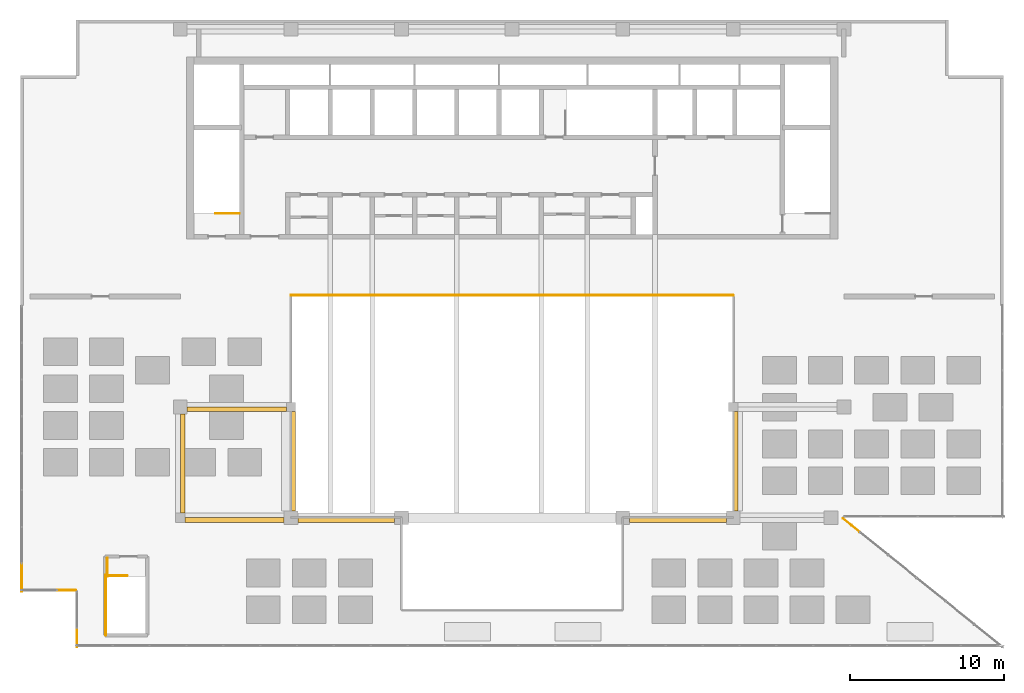
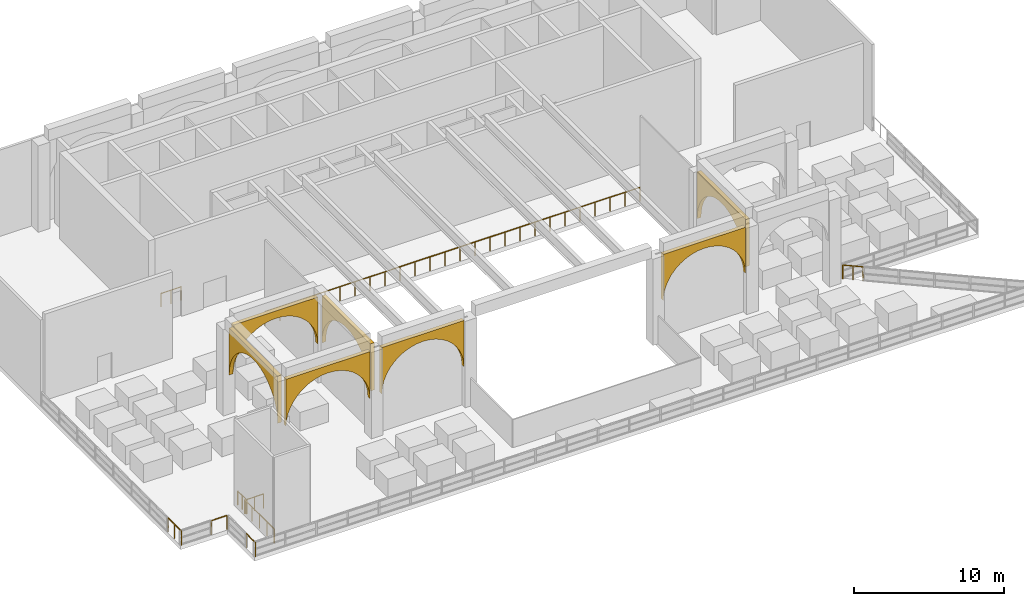
# One storey, part 15 of 17: 9 railings, 7 coverings.
"""IFC4 building model written with IfcOpenShell, lengths in metres."""

from ifc_helpers import new_model, si_unit, direction, frame, origin, origin_2d, place, context, subcontext, project, spatial, polyline, circle, outline, extrude, material, layer, layer_set, type_object, element, save


model = new_model("IFC4")

# Units and contexts
model_context = context("Model", 3, precision=1e-05, world=origin(), true_north=direction((0.0, 1.0)))
body_context = subcontext(model_context, "Body", "Model", "MODEL_VIEW")
ifc_project = project(units=[si_unit("LENGTHUNIT", "METRE"), si_unit("AREAUNIT", "SQUARE_METRE"), si_unit("VOLUMEUNIT", "CUBIC_METRE"), si_unit("PLANEANGLEUNIT", "RADIAN"), si_unit("MASSUNIT", "GRAM", prefix="KILO")], contexts=[model_context])

# Site, building, storey
site_placement = place(None, origin())
site = spatial("IfcSite", under=ifc_project, at=site_placement, CompositionType="ELEMENT")
building_placement = place(site_placement, origin())
building = spatial("IfcBuilding", under=site, at=building_placement, Name="Saffron Iwan Residences", CompositionType="ELEMENT")
storey_placement = place(building_placement, frame((0.0, 0.0, 274.5)))
storey = spatial("IfcBuildingStorey", under=building, at=storey_placement, Name="L74", CompositionType="ELEMENT", Elevation=274.5)

# Coverings
ifc_material_1 = material(Name="Precast concrete C40/50 white painted", Category="concrete")
ifc_layer = layer(ifc_material_1, 0.300048828125)
ifc_layer_set = layer_set([ifc_layer], Name="Precast concrete C40/50 white painted")
covering_type = type_object("IfcCoveringType", Name="ARCADE ARCH PRECAST", PredefinedType="CLADDING", material=ifc_layer_set)
covering_1_placement = place(storey_placement, frame((29.10009765625, 48.0, 3.175048828125), z_axis=(0.0, 1.0, 0.0), x_axis=(0.0, 0.0, 1.0)))
element("IfcCovering", 1, at=covering_1_placement, inside=storey, type_object=covering_type, Name="Arcade arch L74 R0.0", PredefinedType="CLADDING", context=body_context, shape_type="SweptSolid", body=[
    extrude(outline(polyline([(0.0, 0.0), (3.824951171875, 0.0), (3.824951171875, 6.449951171875), (0.0, 6.449951171875), (0.50439453125, 6.41015625), (0.99658203125, 6.2919921875), (1.464111328125, 6.098388671875), (1.8955078125, 5.833984375), (2.2802734375, 5.50537109375), (2.609130859375, 5.12060546875), (2.87353515625, 4.68896484375), (3.067138671875, 4.221435546875), (3.185302734375, 3.7294921875), (3.224853515625, 3.224853515625), (3.185302734375, 2.720458984375), (3.067138671875, 2.228271484375), (2.87353515625, 1.7607421875), (2.609130859375, 1.329345703125), (2.2802734375, 0.944580078125), (1.8955078125, 0.61572265625), (1.464111328125, 0.351318359375), (0.99658203125, 0.15771484375), (0.50439453125, 0.03955078125), (0.0, 0.0)])), origin(), (0.0, 0.0, -1.0), 0.300048828125),
])
covering_2_placement = place(storey_placement, frame((36.449951171875, 48.0, 3.25), z_axis=(0.0, 1.0, 0.0), x_axis=(0.0, 0.0, 1.0)))
element("IfcCovering", 2, at=covering_2_placement, inside=storey, type_object=covering_type, Name="Arcade arch L74 R0.1", PredefinedType="CLADDING", context=body_context, shape_type="SweptSolid", body=[
    extrude(outline(polyline([(0.0, 0.0), (3.75, 0.0), (3.75, 6.300048828125), (0.0, 6.300048828125), (0.492919921875, 6.26123046875), (0.973388671875, 6.145751953125), (1.43017578125, 5.956787109375), (1.8515625, 5.698486328125), (2.227294921875, 5.37744140625), (2.54833984375, 5.00146484375), (2.806640625, 4.580078125), (2.995849609375, 4.12353515625), (3.111083984375, 3.642822265625), (3.14990234375, 3.150146484375), (3.111083984375, 2.6572265625), (2.995849609375, 2.1767578125), (2.806640625, 1.719970703125), (2.54833984375, 1.298583984375), (2.227294921875, 0.922607421875), (1.8515625, 0.6015625), (1.43017578125, 0.34326171875), (0.973388671875, 0.154296875), (0.492919921875, 0.038818359375), (0.0, 0.0)])), origin(), (0.0, 0.0, -1.0), 0.300048828125),
])
covering_3_placement = place(storey_placement, frame((58.050048828125, 48.0, 3.25), z_axis=(0.0, 1.0, 0.0), x_axis=(0.0, 0.0, 1.0)))
element("IfcCovering", 3, at=covering_3_placement, inside=storey, type_object=covering_type, Name="Arcade arch L74 R0.3", PredefinedType="CLADDING", context=body_context, shape_type="SweptSolid", body=[
    extrude(outline(polyline([(0.0, 0.0), (3.75, 0.0), (3.75, 6.300048828125), (0.0, 6.300048828125), (0.492919921875, 6.26123046875), (0.973388671875, 6.145751953125), (1.43017578125, 5.95654296875), (1.8515625, 5.6982421875), (2.227294921875, 5.37744140625), (2.54833984375, 5.00146484375), (2.806640625, 4.580078125), (2.995849609375, 4.123291015625), (3.111083984375, 3.642822265625), (3.14990234375, 3.14990234375), (3.111083984375, 2.6572265625), (2.995849609375, 2.176513671875), (2.806640625, 1.719970703125), (2.54833984375, 1.29833984375), (2.227294921875, 0.922607421875), (1.8515625, 0.6015625), (1.43017578125, 0.34326171875), (0.973388671875, 0.154052734375), (0.492919921875, 0.038818359375), (0.0, 0.0)])), origin(), (0.0, 0.0, -1.0), 0.300048828125),
])
covering_4_placement = place(storey_placement, frame((29.25, 55.199951171875, 3.175048828125), z_axis=(0.0, 1.0, 0.0), x_axis=(0.0, 0.0, 1.0)))
element("IfcCovering", 4, at=covering_4_placement, inside=storey, type_object=covering_type, Name="Arcade arch L74 R1.0", PredefinedType="CLADDING", context=body_context, shape_type="SweptSolid", body=[
    extrude(outline(polyline([(0.0, 0.0), (3.824951171875, 0.0), (3.824951171875, 6.449951171875), (0.0, 6.449951171875), (0.50439453125, 6.410400390625), (0.99658203125, 6.292236328125), (1.464111328125, 6.098388671875), (1.8955078125, 5.833984375), (2.2802734375, 5.50537109375), (2.609130859375, 5.12060546875), (2.87353515625, 4.689208984375), (3.067138671875, 4.2216796875), (3.185302734375, 3.7294921875), (3.224853515625, 3.22509765625), (3.185302734375, 2.720458984375), (3.067138671875, 2.228515625), (2.87353515625, 1.760986328125), (2.609130859375, 1.329345703125), (2.2802734375, 0.944580078125), (1.8955078125, 0.615966796875), (1.464111328125, 0.3515625), (0.99658203125, 0.15771484375), (0.50439453125, 0.039794921875), (0.0, 0.0)])), origin(), (0.0, 0.0, -1.0), 0.300048828125),
])
covering_5_placement = place(storey_placement, frame((28.800048828125, 48.300048828125, 3.175048828125), z_axis=(-1.0, 0.0, 0.0), x_axis=(0.0, 0.0, 1.0)))
element("IfcCovering", 5, at=covering_5_placement, inside=storey, type_object=covering_type, Name="Arcade arch L74 R3.0", PredefinedType="CLADDING", context=body_context, shape_type="SweptSolid", body=[
    extrude(outline(polyline([(0.0, 0.0), (3.824951171875, 0.0), (3.824951171875, 6.449951171875), (0.0, 6.449951171875), (0.50439453125, 6.41015625), (0.99658203125, 6.292236328125), (1.464111328125, 6.098388671875), (1.8955078125, 5.833984375), (2.2802734375, 5.50537109375), (2.609130859375, 5.12060546875), (2.87353515625, 4.68896484375), (3.067138671875, 4.221435546875), (3.185302734375, 3.7294921875), (3.224853515625, 3.224853515625), (3.185302734375, 2.720458984375), (3.067138671875, 2.228271484375), (2.87353515625, 1.7607421875), (2.609130859375, 1.329345703125), (2.2802734375, 0.944580078125), (1.8955078125, 0.615966796875), (1.464111328125, 0.3515625), (0.99658203125, 0.15771484375), (0.50439453125, 0.03955078125), (0.0, 0.0)])), origin(), (0.0, 0.0, -1.0), 0.300048828125),
])
for number, where, z_axis, x_axis, name in (
    (6, (36.0, 48.449951171875, 3.175048828125), (-1.0, 0.0, 0.0), (0.0, 0.0, 1.0), "Arcade arch L74 R4.0"),
    (7, (64.800048828125, 48.449951171875, 3.175048828125), (-1.0, 0.0, 0.0), (0.0, 0.0, 1.0), "Arcade arch L74 R7.0"),
):
    element("IfcCovering", number, at=place(storey_placement, frame(where, z_axis=z_axis, x_axis=x_axis)), inside=storey, type_object=covering_type, Name=name, PredefinedType="CLADDING", context=body_context, shape_type="SweptSolid", body=[
        extrude(outline(polyline([(0.0, 0.0), (3.824951171875, 0.0), (3.824951171875, 6.449951171875), (0.0, 6.449951171875), (0.50439453125, 6.410400390625), (0.99658203125, 6.292236328125), (1.464111328125, 6.0986328125), (1.8955078125, 5.834228515625), (2.2802734375, 5.50537109375), (2.609130859375, 5.12060546875), (2.87353515625, 4.689208984375), (3.067138671875, 4.2216796875), (3.185302734375, 3.7294921875), (3.224853515625, 3.22509765625), (3.185302734375, 2.720458984375), (3.067138671875, 2.228515625), (2.87353515625, 1.760986328125), (2.609130859375, 1.329345703125), (2.2802734375, 0.944580078125), (1.8955078125, 0.615966796875), (1.464111328125, 0.3515625), (0.99658203125, 0.157958984375), (0.50439453125, 0.039794921875), (0.0, 0.0)])), origin(), (0.0, 0.0, -1.0), 0.300048828125),
    ])

# Railings
ifc_material_2 = material(Name="Stainless steel 316", Category="steel")
railing_type_1 = type_object("IfcRailingType", Name="Atrium guard 1150", PredefinedType="GUARDRAIL", material=ifc_material_2)
railing_1_placement = place(storey_placement, frame((36.0, 62.47509765625, 0.0)))
element("IfcRailing", 8, at=railing_1_placement, inside=storey, type_object=railing_type_1, Name="Atrium guard L74", PredefinedType="GUARDRAIL", context=body_context, shape_type="SweptSolid", body=[
    extrude(circle(Radius=0.02392578125, at=origin_2d()), frame((0.0, 0.0, 1.1259765625), z_axis=(1.0, 0.0, 0.0), x_axis=(0.0, 1.0, 0.0)), (0.0, 0.0, 1.0), 28.800048828125),
    extrude(circle(Radius=0.02099609375, at=origin_2d()), origin(), (0.0, 0.0, 1.0), 1.101806640625),
    extrude(circle(Radius=0.02099609375, at=origin_2d()), frame((1.152099609375, 0.0, 0.0)), (0.0, 0.0, 1.0), 1.101806640625),
    extrude(circle(Radius=0.02099609375, at=origin_2d()), frame((2.303955078125, 0.0, 0.0)), (0.0, 0.0, 1.0), 1.101806640625),
    extrude(circle(Radius=0.02099609375, at=origin_2d()), frame((3.4560546875, 0.0, 0.0)), (0.0, 0.0, 1.0), 1.101806640625),
    extrude(circle(Radius=0.02099609375, at=origin_2d()), frame((4.60791015625, 0.0, 0.0)), (0.0, 0.0, 1.0), 1.101806640625),
    extrude(circle(Radius=0.02099609375, at=origin_2d()), frame((5.760009765625, 0.0, 0.0)), (0.0, 0.0, 1.0), 1.101806640625),
    extrude(circle(Radius=0.02099609375, at=origin_2d()), frame((6.912109375, 0.0, 0.0)), (0.0, 0.0, 1.0), 1.101806640625),
    extrude(circle(Radius=0.02099609375, at=origin_2d()), frame((8.06396484375, 0.0, 0.0)), (0.0, 0.0, 1.0), 1.101806640625),
    extrude(circle(Radius=0.02099609375, at=origin_2d()), frame((9.216064453125, 0.0, 0.0)), (0.0, 0.0, 1.0), 1.101806640625),
    extrude(circle(Radius=0.02099609375, at=origin_2d()), frame((10.367919921875, 0.0, 0.0)), (0.0, 0.0, 1.0), 1.101806640625),
    extrude(circle(Radius=0.02099609375, at=origin_2d()), frame((11.52001953125, 0.0, 0.0)), (0.0, 0.0, 1.0), 1.101806640625),
    extrude(circle(Radius=0.02099609375, at=origin_2d()), frame((12.672119140625, 0.0, 0.0)), (0.0, 0.0, 1.0), 1.101806640625),
    extrude(circle(Radius=0.02099609375, at=origin_2d()), frame((13.823974609375, 0.0, 0.0)), (0.0, 0.0, 1.0), 1.101806640625),
    extrude(circle(Radius=0.02099609375, at=origin_2d()), frame((14.97607421875, 0.0, 0.0)), (0.0, 0.0, 1.0), 1.101806640625),
    extrude(circle(Radius=0.02099609375, at=origin_2d()), frame((16.1279296875, 0.0, 0.0)), (0.0, 0.0, 1.0), 1.101806640625),
    extrude(circle(Radius=0.02099609375, at=origin_2d()), frame((17.280029296875, 0.0, 0.0)), (0.0, 0.0, 1.0), 1.101806640625),
    extrude(circle(Radius=0.02099609375, at=origin_2d()), frame((18.43212890625, 0.0, 0.0)), (0.0, 0.0, 1.0), 1.101806640625),
    extrude(circle(Radius=0.02099609375, at=origin_2d()), frame((19.583984375, 0.0, 0.0)), (0.0, 0.0, 1.0), 1.101806640625),
    extrude(circle(Radius=0.02099609375, at=origin_2d()), frame((20.736083984375, 0.0, 0.0)), (0.0, 0.0, 1.0), 1.101806640625),
    extrude(circle(Radius=0.02099609375, at=origin_2d()), frame((21.887939453125, 0.0, 0.0)), (0.0, 0.0, 1.0), 1.101806640625),
    extrude(circle(Radius=0.02099609375, at=origin_2d()), frame((23.0400390625, 0.0, 0.0)), (0.0, 0.0, 1.0), 1.101806640625),
    extrude(circle(Radius=0.02099609375, at=origin_2d()), frame((24.192138671875, 0.0, 0.0)), (0.0, 0.0, 1.0), 1.101806640625),
    extrude(circle(Radius=0.02099609375, at=origin_2d()), frame((25.343994140625, 0.0, 0.0)), (0.0, 0.0, 1.0), 1.101806640625),
    extrude(circle(Radius=0.02099609375, at=origin_2d()), frame((26.49609375, 0.0, 0.0)), (0.0, 0.0, 1.0), 1.101806640625),
    extrude(circle(Radius=0.02099609375, at=origin_2d()), frame((27.64794921875, 0.0, 0.0)), (0.0, 0.0, 1.0), 1.101806640625),
    extrude(circle(Radius=0.02099609375, at=origin_2d()), frame((28.800048828125, 0.0, 0.0)), (0.0, 0.0, 1.0), 1.101806640625),
])
ifc_material_3 = material(Name="Steel S355", Category="steel")
railing_type_2 = type_object("IfcRailingType", Name="Podium stair guard 1150", PredefinedType="GUARDRAIL", material=ifc_material_3)
railing_2_placement = place(storey_placement, frame((24.0, 44.219970703125, 0.0)))
element("IfcRailing", 9, at=railing_2_placement, inside=storey, type_object=railing_type_2, Name="L74 CS top well guard 1", PredefinedType="GUARDRAIL", context=body_context, shape_type="SweptSolid", body=[
    extrude(circle(Radius=0.02392578125, at=origin_2d()), frame((0.0, 0.0, 1.1259765625), z_axis=(1.0, 0.0, 0.0), x_axis=(0.0, 1.0, 0.0)), (0.0, 0.0, 1.0), 1.35009765625),
    extrude(circle(Radius=0.02099609375, at=origin_2d()), origin(), (0.0, 0.0, 1.0), 1.101806640625),
    extrude(circle(Radius=0.02099609375, at=origin_2d()), frame((0.675048828125, 0.0, 0.0)), (0.0, 0.0, 1.0), 1.101806640625),
    extrude(circle(Radius=0.02099609375, at=origin_2d()), frame((1.35009765625, 0.0, 0.0)), (0.0, 0.0, 1.0), 1.101806640625),
])
railing_3_placement = place(storey_placement, frame((23.949951171875, 44.27001953125, 0.0)))
element("IfcRailing", 10, at=railing_3_placement, inside=storey, type_object=railing_type_2, Name="L74 CS top well guard 2", PredefinedType="GUARDRAIL", context=body_context, shape_type="SweptSolid", body=[
    extrude(circle(Radius=0.02392578125, at=origin_2d()), frame((0.0, 0.0, 1.1259765625), z_axis=(0.0, -1.0, 0.0), x_axis=(1.0, 0.0, 0.0)), (0.0, 0.0, 1.0), 3.919921875),
    extrude(circle(Radius=0.02099609375, at=origin_2d()), origin(), (0.0, 0.0, 1.0), 1.101806640625),
    extrude(circle(Radius=0.02099609375, at=origin_2d()), frame((0.0, -0.97998046875, 0.0)), (0.0, 0.0, 1.0), 1.101806640625),
    extrude(circle(Radius=0.02099609375, at=origin_2d()), frame((0.0, -1.9599609375, 0.0)), (0.0, 0.0, 1.0), 1.101806640625),
    extrude(circle(Radius=0.02099609375, at=origin_2d()), frame((0.0, -2.93994140625, 0.0)), (0.0, 0.0, 1.0), 1.101806640625),
    extrude(circle(Radius=0.02099609375, at=origin_2d()), frame((0.0, -3.919921875, 0.0)), (0.0, 0.0, 1.0), 1.101806640625),
])
railing_4_placement = place(storey_placement, frame((24.050048828125, 45.3701171875, 0.0)))
element("IfcRailing", 11, at=railing_4_placement, inside=storey, type_object=railing_type_2, Name="L74 CS top well guard 3", PredefinedType="GUARDRAIL", context=body_context, shape_type="SweptSolid", body=[
    extrude(circle(Radius=0.02392578125, at=origin_2d()), frame((0.0, 0.0, 1.1259765625), z_axis=(0.0, -1.0, 0.0), x_axis=(1.0, 0.0, 0.0)), (0.0, 0.0, 1.0), 1.2001953125),
    extrude(circle(Radius=0.02099609375, at=origin_2d()), origin(), (0.0, 0.0, 1.0), 1.101806640625),
    extrude(circle(Radius=0.02099609375, at=origin_2d()), frame((0.0, -0.60009765625, 0.0)), (0.0, 0.0, 1.0), 1.101806640625),
    extrude(circle(Radius=0.02099609375, at=origin_2d()), frame((0.0, -1.2001953125, 0.0)), (0.0, 0.0, 1.0), 1.101806640625),
])
railing_type_3 = type_object("IfcRailingType", Name="Stair guard 1100", PredefinedType="GUARDRAIL", material=ifc_material_3)
railing_5_placement = place(storey_placement, frame((32.64990234375, 67.800048828125, 0.0)))
element("IfcRailing", 12, at=railing_5_placement, inside=storey, type_object=railing_type_3, Name="L74 ST-W top well guard 1", PredefinedType="GUARDRAIL", context=body_context, shape_type="SweptSolid", body=[
    extrude(circle(Radius=0.02392578125, at=origin_2d()), frame((0.0, 0.0, 1.076171875), z_axis=(-1.0, 0.0, 0.0), x_axis=(0.0, -1.0, 0.0)), (0.0, 0.0, 1.0), 1.5498046875),
    extrude(circle(Radius=0.02099609375, at=origin_2d()), origin(), (0.0, 0.0, 1.0), 1.052001953125),
    extrude(circle(Radius=0.02099609375, at=origin_2d()), frame((-0.77490234375, 0.0, 0.0)), (0.0, 0.0, 1.0), 1.052001953125),
    extrude(circle(Radius=0.02099609375, at=origin_2d()), frame((-1.5498046875, 0.0, 0.0)), (0.0, 0.0, 1.0), 1.052001953125),
])
railing_type_4 = type_object("IfcRailingType", Name="TERRACE GUARD 1150", PredefinedType="BALUSTRADE", material=ifc_material_2)
railing_6_placement = place(storey_placement, frame((73.017578125, 47.081787109375, 0.0)))
element("IfcRailing", 13, at=railing_6_placement, inside=storey, type_object=railing_type_4, Name="Roof terrace guard F0.1", PredefinedType="BALUSTRADE", context=body_context, shape_type="SweptSolid", body=[
    extrude(circle(Radius=0.02392578125, at=origin_2d()), frame((0.0, 0.0, 1.1259765625), z_axis=(-0.777971363957, 0.62829973489, 0.0), x_axis=(-0.62829973489, -0.777971363957, 0.0)), (0.0, 0.0, 1.0), 1.36865234375),
    extrude(circle(Radius=0.02099609375, at=origin_2d()), origin(), (0.0, 0.0, 1.0), 1.101806640625),
    extrude(circle(Radius=0.02099609375, at=origin_2d()), frame((-0.5322265625, 0.429931640625, 0.0)), (0.0, 0.0, 1.0), 1.101806640625),
    extrude(circle(Radius=0.02099609375, at=origin_2d()), frame((-1.064697265625, 0.85986328125, 0.0)), (0.0, 0.0, 1.0), 1.101806640625),
])
railing_7_placement = place(storey_placement, frame((18.47509765625, 45.0, 0.0)))
element("IfcRailing", 14, at=railing_7_placement, inside=storey, type_object=railing_type_4, Name="Roof terrace guard F8.7", PredefinedType="BALUSTRADE", context=body_context, shape_type="SweptSolid", body=[
    extrude(circle(Radius=0.02392578125, at=origin_2d()), frame((0.0, 0.0, 1.1259765625), z_axis=(0.0, -1.0, 0.0), x_axis=(1.0, 0.0, 0.0)), (0.0, 0.0, 1.0), 1.800048828125),
    extrude(circle(Radius=0.02099609375, at=origin_2d()), origin(), (0.0, 0.0, 1.0), 1.101806640625),
    extrude(circle(Radius=0.02099609375, at=origin_2d()), frame((0.0, -0.89990234375, 0.0)), (0.0, 0.0, 1.0), 1.101806640625),
    extrude(circle(Radius=0.02099609375, at=origin_2d()), frame((0.0, -1.800048828125, 0.0)), (0.0, 0.0, 1.0), 1.101806640625),
])
railing_8_placement = place(storey_placement, frame((20.800048828125, 43.27490234375, 0.0)))
element("IfcRailing", 15, at=railing_8_placement, inside=storey, type_object=railing_type_4, Name="Roof terrace guard F9.9", PredefinedType="BALUSTRADE", context=body_context, shape_type="SweptSolid", body=[
    extrude(circle(Radius=0.02392578125, at=origin_2d()), frame((0.0, 0.0, 1.1259765625), z_axis=(1.0, 0.0, 0.0), x_axis=(0.0, 1.0, 0.0)), (0.0, 0.0, 1.0), 1.199951171875),
    extrude(circle(Radius=0.02099609375, at=origin_2d()), origin(), (0.0, 0.0, 1.0), 1.101806640625),
    extrude(circle(Radius=0.02099609375, at=origin_2d()), frame((1.199951171875, 0.0, 0.0)), (0.0, 0.0, 1.0), 1.101806640625),
])
railing_9_placement = place(storey_placement, frame((22.074951171875, 40.800048828125, 0.0)))
element("IfcRailing", 16, at=railing_9_placement, inside=storey, type_object=railing_type_4, Name="Roof terrace guard F10.11", PredefinedType="BALUSTRADE", context=body_context, shape_type="SweptSolid", body=[
    extrude(circle(Radius=0.02392578125, at=origin_2d()), frame((0.0, 0.0, 1.1259765625), z_axis=(0.0, -1.0, 0.0), x_axis=(1.0, 0.0, 0.0)), (0.0, 0.0, 1.0), 1.199951171875),
    extrude(circle(Radius=0.02099609375, at=origin_2d()), origin(), (0.0, 0.0, 1.0), 1.101806640625),
    extrude(circle(Radius=0.02099609375, at=origin_2d()), frame((0.0, -1.199951171875, 0.0)), (0.0, 0.0, 1.0), 1.101806640625),
])

save(model, "model.ifc")
